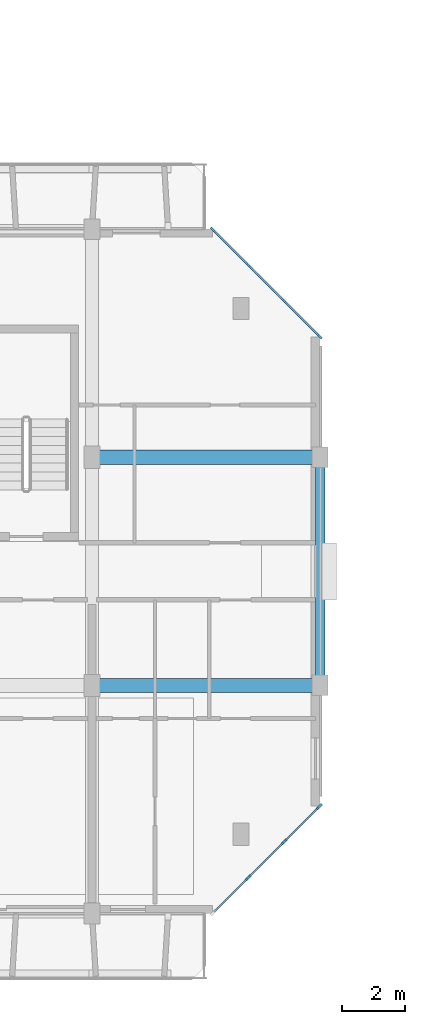
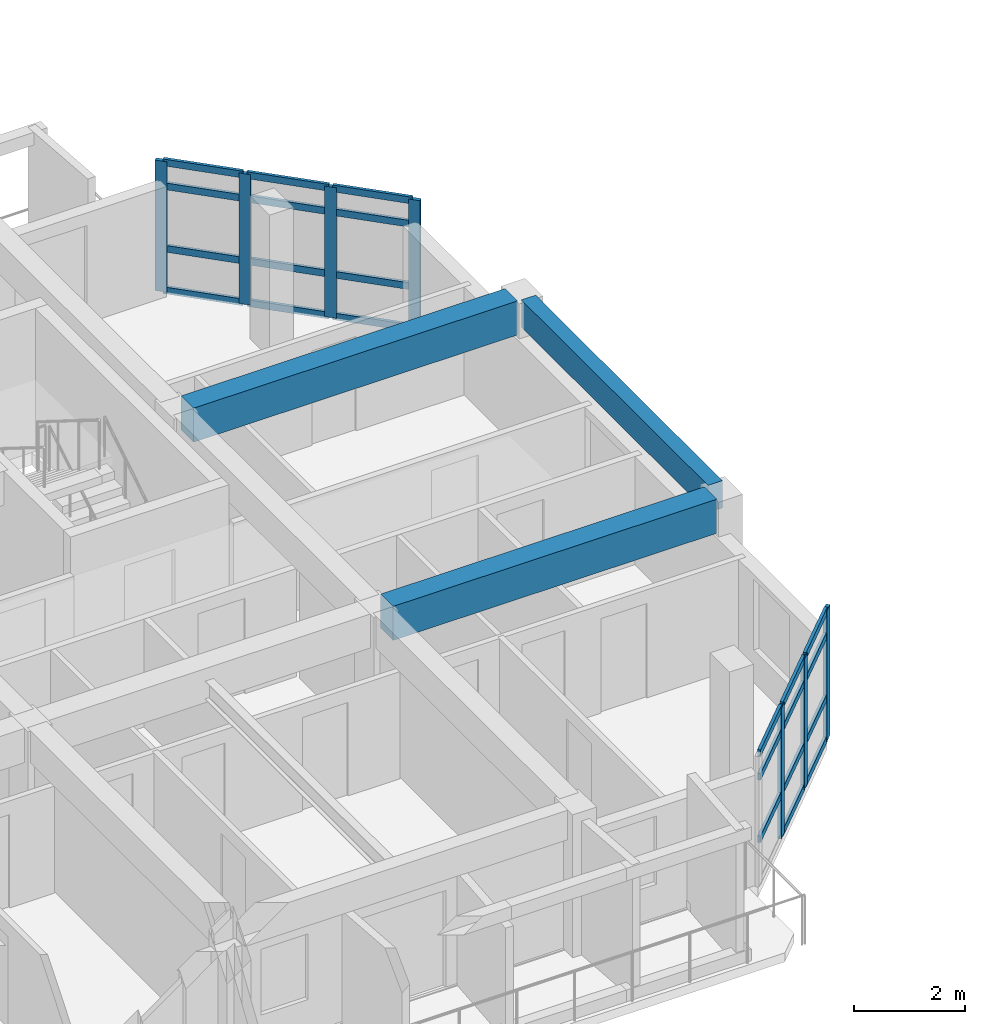
# One storey, part 3 of 43: 30 members, 3 beams, 2 elements without a shape of their own.
"""IFC4 building model written with IfcOpenShell, lengths in metres."""

from ifc_helpers import new_model, si_unit, direction, frame, origin, origin_2d, place, context, subcontext, project, spatial, rectangle, extrude, material, layer, layer_set, material_profile, profile_set, type_object, element, aggregate, save


model = new_model("IFC4")

# Units and contexts
model_context = context("Model", 3, precision=1e-05, world=origin(), true_north=direction((0.0, 1.0)))
body_context = subcontext(model_context, "Body", "Model", "MODEL_VIEW")
ifc_project = project(units=[si_unit("LENGTHUNIT", "METRE"), si_unit("AREAUNIT", "SQUARE_METRE"), si_unit("VOLUMEUNIT", "CUBIC_METRE"), si_unit("PLANEANGLEUNIT", "RADIAN"), si_unit("MASSUNIT", "GRAM", prefix="KILO")], contexts=[model_context])

# Site, building, storey
site_placement = place(None, origin())
site = spatial("IfcSite", under=ifc_project, at=site_placement, CompositionType="ELEMENT")
building_placement = place(site_placement, origin())
building = spatial("IfcBuilding", under=site, at=building_placement, Name="Ochrevale Crest", CompositionType="ELEMENT")
storey_placement = place(building_placement, frame((0.0, 0.0, 15.0)))
storey = spatial("IfcBuildingStorey", under=building, at=storey_placement, Name="L04", CompositionType="ELEMENT", Elevation=15.0)

# Beams
ifc_material_1 = material(Name="Concrete C50/60", Category="concrete")
ifc_material_profile_1 = material_profile(ifc_material_1, rectangle(XDim=0.449951171875, YDim=0.75, at=origin_2d()), Name="RC 450x750")
ifc_profile_set_1 = profile_set([ifc_material_profile_1], Name="Concrete C50/60")
beam_type_1 = type_object("IfcBeamType", Name="BM-PG450x750", PredefinedType="USERDEFINED", material=ifc_profile_set_1)
for number, where, z_axis, x_axis, name in (
    (1, (29.02490234375, 21.60009765625, 2.77490234375), (1.0, 0.0, 0.0), (0.0, 1.0, 0.0), "Block A L04 E-W beam Y=21.6"),
    (2, (29.02490234375, 28.800048828125, 2.77490234375), (1.0, 0.0, 0.0), (0.0, 1.0, 0.0), "Block A L04 E-W beam Y=28.8"),
):
    element("IfcBeam", number, at=place(storey_placement, frame(where, z_axis=z_axis, x_axis=x_axis)), inside=storey, type_object=beam_type_1, Name=name, ObjectType="GIRDER", PredefinedType="USERDEFINED", context=body_context, shape_type="SweptSolid", body=[
        extrude(rectangle(XDim=0.449951171875, YDim=0.75, at=origin_2d()), origin(), (0.0, 0.0, 1.0), 6.75),
    ])
ifc_material_2 = material(Name="Precast concrete C40/50", Category="concrete")
ifc_material_profile_2 = material_profile(ifc_material_2, rectangle(XDim=0.300048828125, YDim=0.60009765625, at=origin_2d()), Name="PC 300x600")
ifc_profile_set_2 = profile_set([ifc_material_profile_2], Name="Precast concrete C40/50")
beam_type_2 = type_object("IfcBeamType", Name="BM-SP300x600", PredefinedType="SPANDREL", material=ifc_profile_set_2)
beam_placement = place(storey_placement, frame((36.0, 21.830078125, 2.85009765625), z_axis=(0.0, 1.0, 0.0), x_axis=(-1.0, 0.0, 0.0)))
element("IfcBeam", 3, at=beam_placement, inside=storey, type_object=beam_type_2, Name="Block A L04 N-S beam X=36.0", PredefinedType="SPANDREL", context=body_context, shape_type="SweptSolid", body=[
    extrude(rectangle(XDim=0.300048828125, YDim=0.60009765625, at=origin_2d()), origin(), (0.0, 0.0, 1.0), 6.739990234375),
])

# Curtain wall, members
ifc_material_3 = material(Name="Anodised aluminium 6063-T5", Category="aluminium")
ifc_layer_1 = layer(ifc_material_3, 0.14990234375)
ifc_layer_set_1 = layer_set([ifc_layer_1], Name="Anodised aluminium 6063-T5")
curtain_wall_type_1 = type_object("IfcCurtainWallType", Name="CW-WG-280x285", PredefinedType="NOTDEFINED", material=ifc_layer_set_1)
curtain_wall_1_placement = place(storey_placement, origin())
curtain_wall_1 = element("IfcCurtainWall", 4, at=curtain_wall_1_placement, inside=storey, type_object=curtain_wall_type_1, Name="Block A L04 chamfered corner wintergarden curtain wall 2", PredefinedType="NOTDEFINED")
ifc_material_profile_3 = material_profile(ifc_material_3, rectangle(XDim=0.074951171875, YDim=0.219970703125, at=origin_2d()), Name="ALU 75x220")
ifc_profile_set_3 = profile_set([ifc_material_profile_3], Name="Anodised aluminium 6063-T5")
member_type_1 = type_object("IfcMemberType", Name="CW-MUL-75x220", PredefinedType="MULLION", material=ifc_profile_set_3)
member_1_placement = place(storey_placement, frame((33.7333984375, 15.533447265625, 0.0), z_axis=(0.0, 0.0, 1.0), x_axis=(-0.707106781187, 0.707106781187, 0.0)))
member_1 = element("IfcMember", 5, at=member_1_placement, type_object=member_type_1, Name="CW16 mullion 2", PredefinedType="MULLION", context=body_context, shape_type="SweptSolid", body=[
    extrude(rectangle(XDim=0.074951171875, YDim=0.219970703125, at=origin_2d()), origin(), (0.0, 0.0, 1.0), 2.875),
])
member_2_placement = place(storey_placement, frame((34.86669921875, 16.666748046875, 0.0), z_axis=(0.0, 0.0, 1.0), x_axis=(-0.707106781187, 0.707106781187, 0.0)))
member_2 = element("IfcMember", 6, at=member_2_placement, type_object=member_type_1, Name="CW16 mullion 3", PredefinedType="MULLION", context=body_context, shape_type="SweptSolid", body=[
    extrude(rectangle(XDim=0.074951171875, YDim=0.219970703125, at=origin_2d()), origin(), (0.0, 0.0, 1.0), 2.875),
])
member_3_placement = place(storey_placement, frame((35.973388671875, 17.7734375, 0.0), z_axis=(0.0, 0.0, 1.0), x_axis=(-0.707106781187, 0.707106781187, 0.0)))
member_3 = element("IfcMember", 7, at=member_3_placement, type_object=member_type_1, Name="CW16 mullion 4", PredefinedType="MULLION", context=body_context, shape_type="SweptSolid", body=[
    extrude(rectangle(XDim=0.074951171875, YDim=0.219970703125, at=origin_2d()), origin(), (0.0, 0.0, 1.0), 2.875),
])

ifc_layer_2 = layer(ifc_material_3, 0.14990234375)
ifc_layer_set_2 = layer_set([ifc_layer_2], Name="Anodised aluminium 6063-T5")
curtain_wall_type_2 = type_object("IfcCurtainWallType", Name="CW-WG-360x285", PredefinedType="NOTDEFINED", material=ifc_layer_set_2)
curtain_wall_2_placement = place(storey_placement, origin())
curtain_wall_2 = element("IfcCurtainWall", 8, at=curtain_wall_2_placement, inside=storey, type_object=curtain_wall_type_2, Name="Block A L04 chamfered corner wintergarden curtain wall 4", PredefinedType="NOTDEFINED")
member_4_placement = place(storey_placement, frame((35.973388671875, 32.62646484375, 0.0), z_axis=(0.0, 0.0, 1.0), x_axis=(-0.707106781187, -0.707106781187, 0.0)))
member_4 = element("IfcMember", 9, at=member_4_placement, type_object=member_type_1, Name="CW18 mullion 1", PredefinedType="MULLION", context=body_context, shape_type="SweptSolid", body=[
    extrude(rectangle(XDim=0.074951171875, YDim=0.219970703125, at=origin_2d()), origin(), (0.0, 0.0, 1.0), 2.875),
])
member_5_placement = place(storey_placement, frame((34.86669921875, 33.7333984375, 0.0), z_axis=(0.0, 0.0, 1.0), x_axis=(-0.707106781187, -0.707106781187, 0.0)))
member_5 = element("IfcMember", 10, at=member_5_placement, type_object=member_type_1, Name="CW18 mullion 2", PredefinedType="MULLION", context=body_context, shape_type="SweptSolid", body=[
    extrude(rectangle(XDim=0.074951171875, YDim=0.219970703125, at=origin_2d()), origin(), (0.0, 0.0, 1.0), 2.875),
])
member_6_placement = place(storey_placement, frame((33.7333984375, 34.86669921875, 0.0), z_axis=(0.0, 0.0, 1.0), x_axis=(-0.707106781187, -0.707106781187, 0.0)))
member_6 = element("IfcMember", 11, at=member_6_placement, type_object=member_type_1, Name="CW18 mullion 3", PredefinedType="MULLION", context=body_context, shape_type="SweptSolid", body=[
    extrude(rectangle(XDim=0.074951171875, YDim=0.219970703125, at=origin_2d()), origin(), (0.0, 0.0, 1.0), 2.875),
])
member_7_placement = place(storey_placement, frame((32.62646484375, 35.973388671875, 0.0), z_axis=(0.0, 0.0, 1.0), x_axis=(-0.707106781187, -0.707106781187, 0.0)))
member_7 = element("IfcMember", 12, at=member_7_placement, type_object=member_type_1, Name="CW18 mullion 4", PredefinedType="MULLION", context=body_context, shape_type="SweptSolid", body=[
    extrude(rectangle(XDim=0.074951171875, YDim=0.219970703125, at=origin_2d()), origin(), (0.0, 0.0, 1.0), 2.875),
])

# Member
ifc_material_profile_4 = material_profile(ifc_material_3, rectangle(XDim=0.06005859375, YDim=0.14990234375, at=origin_2d()), Name="ALU 60x150")
ifc_profile_set_4 = profile_set([ifc_material_profile_4], Name="Anodised aluminium 6063-T5")
member_type_2 = type_object("IfcMemberType", Name="CW-TRN-60x150", PredefinedType="USERDEFINED", material=ifc_profile_set_4)
member_8_placement = place(storey_placement, frame((32.653076171875, 14.453125, 0.949951171875), z_axis=(0.707106781187, 0.707106781187, 0.0), x_axis=(-0.707106781187, 0.707106781187, 0.0)))
member_8 = element("IfcMember", 13, at=member_8_placement, type_object=member_type_2, Name="CW16 transom 1.2", ObjectType="TRANSOM", PredefinedType="USERDEFINED", context=body_context, shape_type="SweptSolid", body=[
    extrude(rectangle(XDim=0.06005859375, YDim=0.14990234375, at=origin_2d()), origin(), (0.0, 0.0, 1.0), 1.490234375),
])

member_9_placement = place(storey_placement, frame((32.653076171875, 14.453125, 2.324951171875), z_axis=(0.707106781187, 0.707106781187, 0.0), x_axis=(-0.707106781187, 0.707106781187, 0.0)))
member_9 = element("IfcMember", 14, at=member_9_placement, type_object=member_type_2, Name="CW16 transom 1.3", ObjectType="TRANSOM", PredefinedType="USERDEFINED", context=body_context, shape_type="SweptSolid", body=[
    extrude(rectangle(XDim=0.06005859375, YDim=0.14990234375, at=origin_2d()), origin(), (0.0, 0.0, 1.0), 1.490234375),
])

member_10_placement = place(storey_placement, frame((32.653076171875, 14.453125, 2.844970703125), z_axis=(0.707106781187, 0.707106781187, 0.0), x_axis=(-0.707106781187, 0.707106781187, 0.0)))
member_10 = element("IfcMember", 15, at=member_10_placement, type_object=member_type_2, Name="CW16 transom 1.4", ObjectType="TRANSOM", PredefinedType="USERDEFINED", context=body_context, shape_type="SweptSolid", body=[
    extrude(rectangle(XDim=0.06005859375, YDim=0.14990234375, at=origin_2d()), origin(), (0.0, 0.0, 1.0), 1.490234375),
])

member_11_placement = place(storey_placement, frame((33.759765625, 15.559814453125, 0.030029296875), z_axis=(0.707106781187, 0.707106781187, 0.0), x_axis=(-0.707106781187, 0.707106781187, 0.0)))
member_11 = element("IfcMember", 16, at=member_11_placement, type_object=member_type_2, Name="CW16 transom 2.1", ObjectType="TRANSOM", PredefinedType="USERDEFINED", context=body_context, shape_type="SweptSolid", body=[
    extrude(rectangle(XDim=0.06005859375, YDim=0.14990234375, at=origin_2d()), origin(), (0.0, 0.0, 1.0), 1.52783203125),
])

member_12_placement = place(storey_placement, frame((33.759765625, 15.559814453125, 0.949951171875), z_axis=(0.707106781187, 0.707106781187, 0.0), x_axis=(-0.707106781187, 0.707106781187, 0.0)))
member_12 = element("IfcMember", 17, at=member_12_placement, type_object=member_type_2, Name="CW16 transom 2.2", ObjectType="TRANSOM", PredefinedType="USERDEFINED", context=body_context, shape_type="SweptSolid", body=[
    extrude(rectangle(XDim=0.06005859375, YDim=0.14990234375, at=origin_2d()), origin(), (0.0, 0.0, 1.0), 1.52783203125),
])

member_13_placement = place(storey_placement, frame((33.759765625, 15.559814453125, 2.324951171875), z_axis=(0.707106781187, 0.707106781187, 0.0), x_axis=(-0.707106781187, 0.707106781187, 0.0)))
member_13 = element("IfcMember", 18, at=member_13_placement, type_object=member_type_2, Name="CW16 transom 2.3", ObjectType="TRANSOM", PredefinedType="USERDEFINED", context=body_context, shape_type="SweptSolid", body=[
    extrude(rectangle(XDim=0.06005859375, YDim=0.14990234375, at=origin_2d()), origin(), (0.0, 0.0, 1.0), 1.52783203125),
])

member_14_placement = place(storey_placement, frame((33.759765625, 15.559814453125, 2.844970703125), z_axis=(0.707106781187, 0.707106781187, 0.0), x_axis=(-0.707106781187, 0.707106781187, 0.0)))
member_14 = element("IfcMember", 19, at=member_14_placement, type_object=member_type_2, Name="CW16 transom 2.4", ObjectType="TRANSOM", PredefinedType="USERDEFINED", context=body_context, shape_type="SweptSolid", body=[
    extrude(rectangle(XDim=0.06005859375, YDim=0.14990234375, at=origin_2d()), origin(), (0.0, 0.0, 1.0), 1.52783203125),
])

member_15_placement = place(storey_placement, frame((34.89306640625, 16.693115234375, 0.030029296875), z_axis=(0.707106781187, 0.707106781187, 0.0), x_axis=(-0.707106781187, 0.707106781187, 0.0)))
member_15 = element("IfcMember", 20, at=member_15_placement, type_object=member_type_2, Name="CW16 transom 3.1", ObjectType="TRANSOM", PredefinedType="USERDEFINED", context=body_context, shape_type="SweptSolid", body=[
    extrude(rectangle(XDim=0.06005859375, YDim=0.14990234375, at=origin_2d()), origin(), (0.0, 0.0, 1.0), 1.490478515625),
])

member_16_placement = place(storey_placement, frame((34.89306640625, 16.693115234375, 0.949951171875), z_axis=(0.707106781187, 0.707106781187, 0.0), x_axis=(-0.707106781187, 0.707106781187, 0.0)))
member_16 = element("IfcMember", 21, at=member_16_placement, type_object=member_type_2, Name="CW16 transom 3.2", ObjectType="TRANSOM", PredefinedType="USERDEFINED", context=body_context, shape_type="SweptSolid", body=[
    extrude(rectangle(XDim=0.06005859375, YDim=0.14990234375, at=origin_2d()), origin(), (0.0, 0.0, 1.0), 1.490478515625),
])

member_17_placement = place(storey_placement, frame((34.89306640625, 16.693115234375, 2.324951171875), z_axis=(0.707106781187, 0.707106781187, 0.0), x_axis=(-0.707106781187, 0.707106781187, 0.0)))
member_17 = element("IfcMember", 22, at=member_17_placement, type_object=member_type_2, Name="CW16 transom 3.3", ObjectType="TRANSOM", PredefinedType="USERDEFINED", context=body_context, shape_type="SweptSolid", body=[
    extrude(rectangle(XDim=0.06005859375, YDim=0.14990234375, at=origin_2d()), origin(), (0.0, 0.0, 1.0), 1.490478515625),
])

member_18_placement = place(storey_placement, frame((34.89306640625, 16.693115234375, 2.844970703125), z_axis=(0.707106781187, 0.707106781187, 0.0), x_axis=(-0.707106781187, 0.707106781187, 0.0)))
member_18 = element("IfcMember", 23, at=member_18_placement, type_object=member_type_2, Name="CW16 transom 3.4", ObjectType="TRANSOM", PredefinedType="USERDEFINED", context=body_context, shape_type="SweptSolid", body=[
    extrude(rectangle(XDim=0.06005859375, YDim=0.14990234375, at=origin_2d()), origin(), (0.0, 0.0, 1.0), 1.490478515625),
])

aggregate(curtain_wall_1, [member_1, member_2, member_3, member_8, member_9, member_10, member_11, member_12, member_13, member_14, member_15, member_16, member_17, member_18])

member_19_placement = place(storey_placement, frame((35.947021484375, 32.653076171875, 0.030029296875), z_axis=(-0.707188683865, 0.70702486902, 0.0), x_axis=(-0.70702486902, -0.707188683865, 0.0)))
member_19 = element("IfcMember", 24, at=member_19_placement, type_object=member_type_2, Name="CW18 transom 1.1", ObjectType="TRANSOM", PredefinedType="USERDEFINED", context=body_context, shape_type="SweptSolid", body=[
    extrude(rectangle(XDim=0.06005859375, YDim=0.14990234375, at=origin_2d()), origin(), (0.0, 0.0, 1.0), 1.490234375),
])

member_20_placement = place(storey_placement, frame((35.947021484375, 32.653076171875, 0.949951171875), z_axis=(-0.707188683865, 0.70702486902, 0.0), x_axis=(-0.70702486902, -0.707188683865, 0.0)))
member_20 = element("IfcMember", 25, at=member_20_placement, type_object=member_type_2, Name="CW18 transom 1.2", ObjectType="TRANSOM", PredefinedType="USERDEFINED", context=body_context, shape_type="SweptSolid", body=[
    extrude(rectangle(XDim=0.06005859375, YDim=0.14990234375, at=origin_2d()), origin(), (0.0, 0.0, 1.0), 1.490234375),
])

member_21_placement = place(storey_placement, frame((35.947021484375, 32.653076171875, 2.324951171875), z_axis=(-0.707188683865, 0.70702486902, 0.0), x_axis=(-0.70702486902, -0.707188683865, 0.0)))
member_21 = element("IfcMember", 26, at=member_21_placement, type_object=member_type_2, Name="CW18 transom 1.3", ObjectType="TRANSOM", PredefinedType="USERDEFINED", context=body_context, shape_type="SweptSolid", body=[
    extrude(rectangle(XDim=0.06005859375, YDim=0.14990234375, at=origin_2d()), origin(), (0.0, 0.0, 1.0), 1.490234375),
])

member_22_placement = place(storey_placement, frame((35.947021484375, 32.653076171875, 2.844970703125), z_axis=(-0.707188683865, 0.70702486902, 0.0), x_axis=(-0.70702486902, -0.707188683865, 0.0)))
member_22 = element("IfcMember", 27, at=member_22_placement, type_object=member_type_2, Name="CW18 transom 1.4", ObjectType="TRANSOM", PredefinedType="USERDEFINED", context=body_context, shape_type="SweptSolid", body=[
    extrude(rectangle(XDim=0.06005859375, YDim=0.14990234375, at=origin_2d()), origin(), (0.0, 0.0, 1.0), 1.490234375),
])

member_23_placement = place(storey_placement, frame((34.840087890625, 33.759765625, 0.030029296875), z_axis=(-0.707106781187, 0.707106781187, 0.0), x_axis=(-0.707106781187, -0.707106781187, 0.0)))
member_23 = element("IfcMember", 28, at=member_23_placement, type_object=member_type_2, Name="CW18 transom 2.1", ObjectType="TRANSOM", PredefinedType="USERDEFINED", context=body_context, shape_type="SweptSolid", body=[
    extrude(rectangle(XDim=0.06005859375, YDim=0.14990234375, at=origin_2d()), origin(), (0.0, 0.0, 1.0), 1.52783203125),
])

member_24_placement = place(storey_placement, frame((34.840087890625, 33.759765625, 0.949951171875), z_axis=(-0.707106781187, 0.707106781187, 0.0), x_axis=(-0.707106781187, -0.707106781187, 0.0)))
member_24 = element("IfcMember", 29, at=member_24_placement, type_object=member_type_2, Name="CW18 transom 2.2", ObjectType="TRANSOM", PredefinedType="USERDEFINED", context=body_context, shape_type="SweptSolid", body=[
    extrude(rectangle(XDim=0.06005859375, YDim=0.14990234375, at=origin_2d()), origin(), (0.0, 0.0, 1.0), 1.52783203125),
])

member_25_placement = place(storey_placement, frame((34.840087890625, 33.759765625, 2.324951171875), z_axis=(-0.707106781187, 0.707106781187, 0.0), x_axis=(-0.707106781187, -0.707106781187, 0.0)))
member_25 = element("IfcMember", 30, at=member_25_placement, type_object=member_type_2, Name="CW18 transom 2.3", ObjectType="TRANSOM", PredefinedType="USERDEFINED", context=body_context, shape_type="SweptSolid", body=[
    extrude(rectangle(XDim=0.06005859375, YDim=0.14990234375, at=origin_2d()), origin(), (0.0, 0.0, 1.0), 1.52783203125),
])

member_26_placement = place(storey_placement, frame((34.840087890625, 33.759765625, 2.844970703125), z_axis=(-0.707106781187, 0.707106781187, 0.0), x_axis=(-0.707106781187, -0.707106781187, 0.0)))
member_26 = element("IfcMember", 31, at=member_26_placement, type_object=member_type_2, Name="CW18 transom 2.4", ObjectType="TRANSOM", PredefinedType="USERDEFINED", context=body_context, shape_type="SweptSolid", body=[
    extrude(rectangle(XDim=0.06005859375, YDim=0.14990234375, at=origin_2d()), origin(), (0.0, 0.0, 1.0), 1.52783203125),
])

member_27_placement = place(storey_placement, frame((33.706787109375, 34.89306640625, 0.030029296875), z_axis=(-0.70702486902, 0.707188683865, 0.0), x_axis=(-0.707188683865, -0.70702486902, 0.0)))
member_27 = element("IfcMember", 32, at=member_27_placement, type_object=member_type_2, Name="CW18 transom 3.1", ObjectType="TRANSOM", PredefinedType="USERDEFINED", context=body_context, shape_type="SweptSolid", body=[
    extrude(rectangle(XDim=0.06005859375, YDim=0.14990234375, at=origin_2d()), origin(), (0.0, 0.0, 1.0), 1.490234375),
])

member_28_placement = place(storey_placement, frame((33.706787109375, 34.89306640625, 0.949951171875), z_axis=(-0.70702486902, 0.707188683865, 0.0), x_axis=(-0.707188683865, -0.70702486902, 0.0)))
member_28 = element("IfcMember", 33, at=member_28_placement, type_object=member_type_2, Name="CW18 transom 3.2", ObjectType="TRANSOM", PredefinedType="USERDEFINED", context=body_context, shape_type="SweptSolid", body=[
    extrude(rectangle(XDim=0.06005859375, YDim=0.14990234375, at=origin_2d()), origin(), (0.0, 0.0, 1.0), 1.490234375),
])

member_29_placement = place(storey_placement, frame((33.706787109375, 34.89306640625, 2.324951171875), z_axis=(-0.70702486902, 0.707188683865, 0.0), x_axis=(-0.707188683865, -0.70702486902, 0.0)))
member_29 = element("IfcMember", 34, at=member_29_placement, type_object=member_type_2, Name="CW18 transom 3.3", ObjectType="TRANSOM", PredefinedType="USERDEFINED", context=body_context, shape_type="SweptSolid", body=[
    extrude(rectangle(XDim=0.06005859375, YDim=0.14990234375, at=origin_2d()), origin(), (0.0, 0.0, 1.0), 1.490234375),
])

member_30_placement = place(storey_placement, frame((33.706787109375, 34.89306640625, 2.844970703125), z_axis=(-0.70702486902, 0.707188683865, 0.0), x_axis=(-0.707188683865, -0.70702486902, 0.0)))
member_30 = element("IfcMember", 35, at=member_30_placement, type_object=member_type_2, Name="CW18 transom 3.4", ObjectType="TRANSOM", PredefinedType="USERDEFINED", context=body_context, shape_type="SweptSolid", body=[
    extrude(rectangle(XDim=0.06005859375, YDim=0.14990234375, at=origin_2d()), origin(), (0.0, 0.0, 1.0), 1.490234375),
])

aggregate(curtain_wall_2, [member_4, member_5, member_6, member_7, member_19, member_20, member_21, member_22, member_23, member_24, member_25, member_26, member_27, member_28, member_29, member_30])

save(model, "model.ifc")
